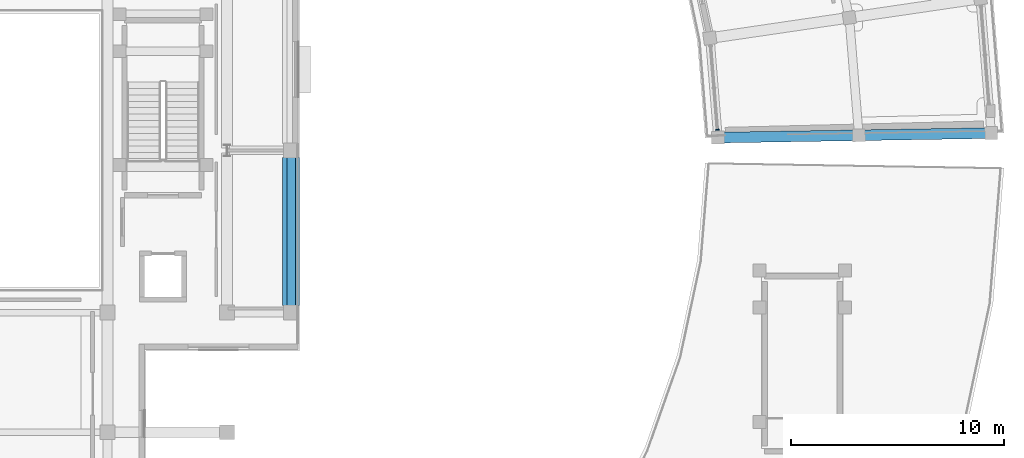
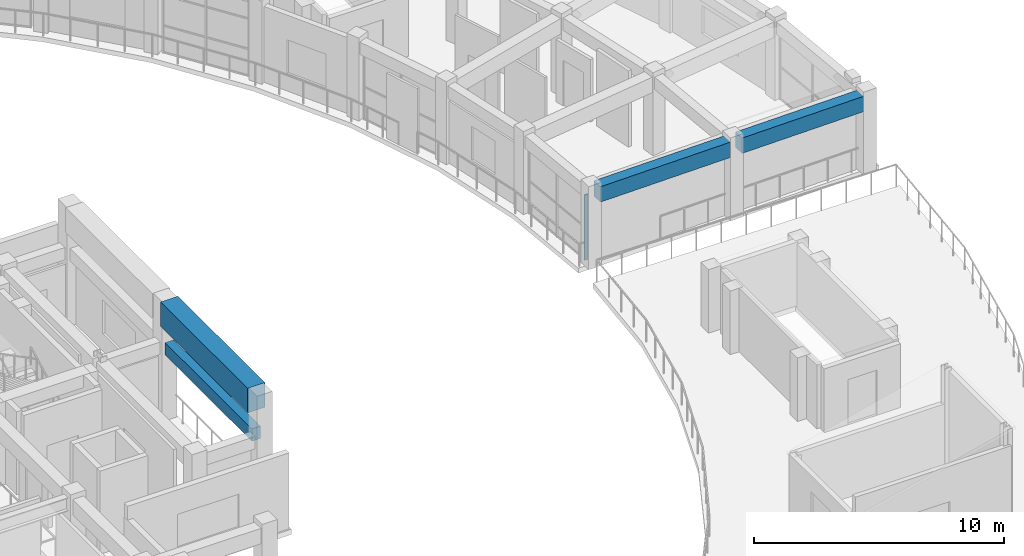
# One storey, part 9 of 29: 4 beams, 1 member, 1 element without a shape of its own.
"""IFC4 building model written with IfcOpenShell, lengths in metres."""

from ifc_helpers import new_model, si_unit, direction, frame, origin, origin_2d, place, context, subcontext, project, spatial, rectangle, extrude, material, material_profile, profile_set, type_object, element, aggregate, save


model = new_model("IFC4")

# Units and contexts
model_context = context("Model", 3, precision=1e-05, world=origin(), true_north=direction((0.0, 1.0)))
body_context = subcontext(model_context, "Body", "Model", "MODEL_VIEW")
ifc_project = project(units=[si_unit("LENGTHUNIT", "METRE"), si_unit("AREAUNIT", "SQUARE_METRE"), si_unit("VOLUMEUNIT", "CUBIC_METRE"), si_unit("PLANEANGLEUNIT", "RADIAN"), si_unit("MASSUNIT", "GRAM", prefix="KILO")], contexts=[model_context])

# Site, building, storey
site_placement = place(None, origin())
site = spatial("IfcSite", under=ifc_project, at=site_placement, CompositionType="ELEMENT")
building_placement = place(site_placement, origin())
building = spatial("IfcBuilding", under=site, at=building_placement, Name="Saryqyr Civic Hall", CompositionType="ELEMENT")
storey_placement = place(building_placement, frame((0.0, 0.0, 25.35009765625)))
storey = spatial("IfcBuildingStorey", under=building, at=storey_placement, Name="L06", CompositionType="ELEMENT", Elevation=25.35009765625)

# Curtain wall, member
ifc_material_1 = material(Name="Anodised aluminium and triple low-E glass", Category="aluminium")
curtain_wall_type = type_object("IfcCurtainWallType", Name="ENV-CW-STD-21", PredefinedType="NOTDEFINED", material=ifc_material_1)
curtain_wall_placement = place(storey_placement, origin())
curtain_wall = element("IfcCurtainWall", 1, at=curtain_wall_placement, inside=storey, type_object=curtain_wall_type, Name="Curtain wall V6-CWI-L06-00", PredefinedType="NOTDEFINED")
ifc_material_2 = material(Name="Anodised aluminium", Category="aluminium")
ifc_material_profile_1 = material_profile(ifc_material_2, rectangle(XDim=0.06005859375, YDim=0.159912109375, at=origin_2d()), Name="ALU MULLION 60x160")
ifc_profile_set_1 = profile_set([ifc_material_profile_1], Name="Anodised aluminium")
member_type = type_object("IfcMemberType", Name="ENV-CW-MUL-180", PredefinedType="MULLION", material=ifc_profile_set_1)
member_placement = place(storey_placement, frame((93.164794921875, 84.97021484375, 0.0), z_axis=(0.0, 0.0, 1.0), x_axis=(-0.081090889978, 0.996706710905, 0.0)))
member = element("IfcMember", 2, at=member_placement, type_object=member_type, Name="CW-21 mullion 1", PredefinedType="MULLION", context=body_context, shape_type="SweptSolid", body=[
    extrude(rectangle(XDim=0.06005859375, YDim=0.159912109375, at=origin_2d()), origin(), (0.0, 0.0, 1.0), 3.184814453125),
])
aggregate(curtain_wall, [member])

# Beams
ifc_material_3 = material(Name="Concrete C35/45", Category="concrete")
ifc_material_profile_2 = material_profile(ifc_material_3, rectangle(XDim=0.39990234375, YDim=0.60009765625, at=origin_2d()), Name="RC 400x600")
ifc_profile_set_2 = profile_set([ifc_material_profile_2], Name="Concrete C35/45")
beam_type_1 = type_object("IfcBeamType", Name="STR-BM-RC400x600", PredefinedType="BEAM", material=ifc_profile_set_2)
beam_1_placement = place(storey_placement, frame((73.199951171875, 76.72509765625, 3.5), z_axis=(0.0, 1.0, 0.0), x_axis=(-1.0, 0.0, 0.0)))
element("IfcBeam", 3, at=beam_1_placement, inside=storey, type_object=beam_type_1, Name="Beam V1-TBM-13-L06", PredefinedType="BEAM", context=body_context, shape_type="SweptSolid", body=[
    extrude(rectangle(XDim=0.39990234375, YDim=0.60009765625, at=origin_2d()), origin(), (0.0, 0.0, 1.0), 6.949951171875),
])
ifc_material_4 = material(Name="Concrete C40/50", Category="concrete")
ifc_material_profile_3 = material_profile(ifc_material_4, rectangle(XDim=0.5, YDim=0.75, at=origin_2d()), Name="RC 500x750")
ifc_profile_set_3 = profile_set([ifc_material_profile_3], Name="Concrete C40/50")
beam_type_2 = type_object("IfcBeamType", Name="STR-BM-RC500x750", PredefinedType="BEAM", material=ifc_profile_set_3)
beam_2_placement = place(storey_placement, frame((93.469970703125, 84.604736328125, 3.434814453125), z_axis=(0.9998624481, 0.016585682939, 0.0), x_axis=(-0.016585682939, 0.9998624481, 0.0)))
element("IfcBeam", 4, at=beam_2_placement, inside=storey, type_object=beam_type_2, Name="Beam V6-RBM-A00-L06", PredefinedType="BEAM", context=body_context, shape_type="SweptSolid", body=[
    extrude(rectangle(XDim=0.5, YDim=0.75, at=origin_2d()), origin(), (0.0, 0.0, 1.0), 6.0498046875),
])
beam_3_placement = place(storey_placement, frame((100.069091796875, 84.714111328125, 3.434814453125), z_axis=(0.999862325475, 0.016593073728, 0.0), x_axis=(-0.016593073728, 0.999862325475, 0.0)))
element("IfcBeam", 5, at=beam_3_placement, inside=storey, type_object=beam_type_2, Name="Beam V6-RBM-B00-L06", PredefinedType="BEAM", context=body_context, shape_type="SweptSolid", body=[
    extrude(rectangle(XDim=0.5, YDim=0.75, at=origin_2d()), origin(), (0.0, 0.0, 1.0), 5.64990234375),
])
ifc_material_profile_4 = material_profile(ifc_material_4, rectangle(XDim=0.800048828125, YDim=1.199951171875, at=origin_2d()), Name="RC 800x1200")
ifc_profile_set_4 = profile_set([ifc_material_profile_4], Name="Concrete C40/50")
beam_type_3 = type_object("IfcBeamType", Name="STR-BM-RING-RC800x1200", PredefinedType="BEAM", material=ifc_profile_set_4)
beam_4_placement = place(storey_placement, frame((73.199951171875, 76.72509765625, 5.25), z_axis=(0.0, 1.0, 0.0), x_axis=(-1.0, 0.0, 0.0)))
element("IfcBeam", 6, at=beam_4_placement, inside=storey, type_object=beam_type_3, Name="Beam V1-RB31-03", PredefinedType="BEAM", context=body_context, shape_type="SweptSolid", body=[
    extrude(rectangle(XDim=0.800048828125, YDim=1.199951171875, at=origin_2d()), origin(), (0.0, 0.0, 1.0), 6.949951171875),
])

save(model, "model.ifc")
